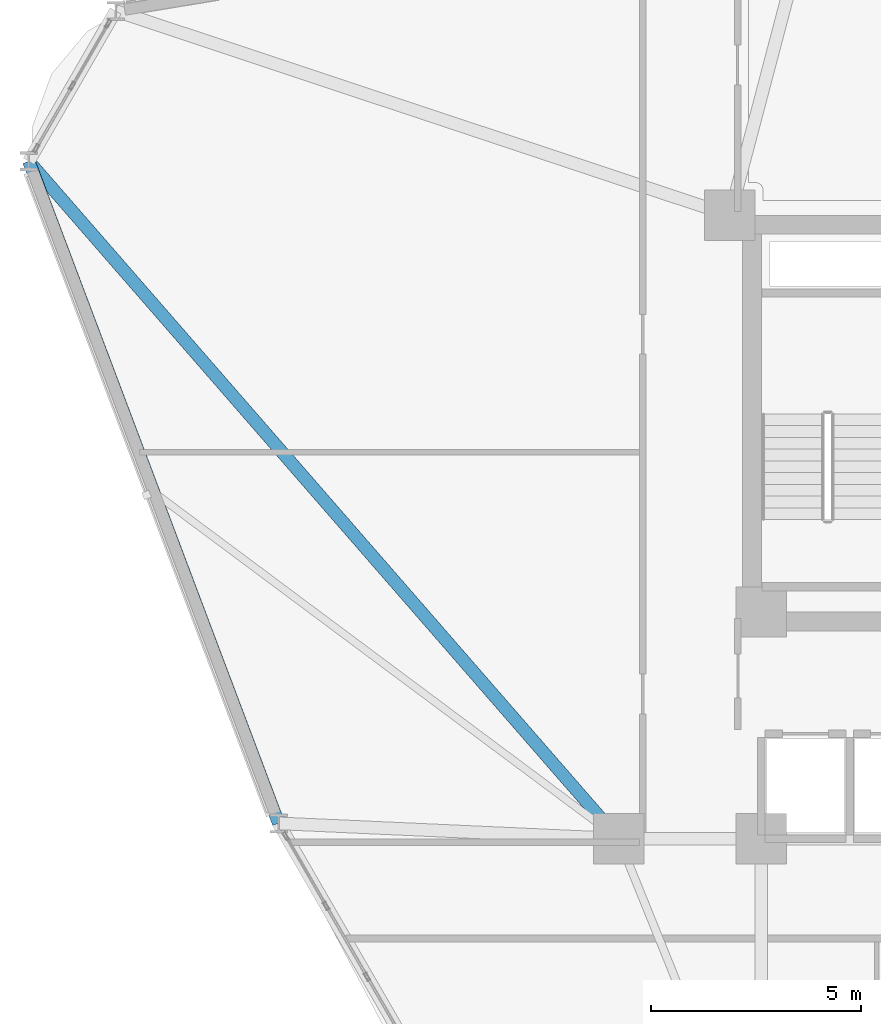
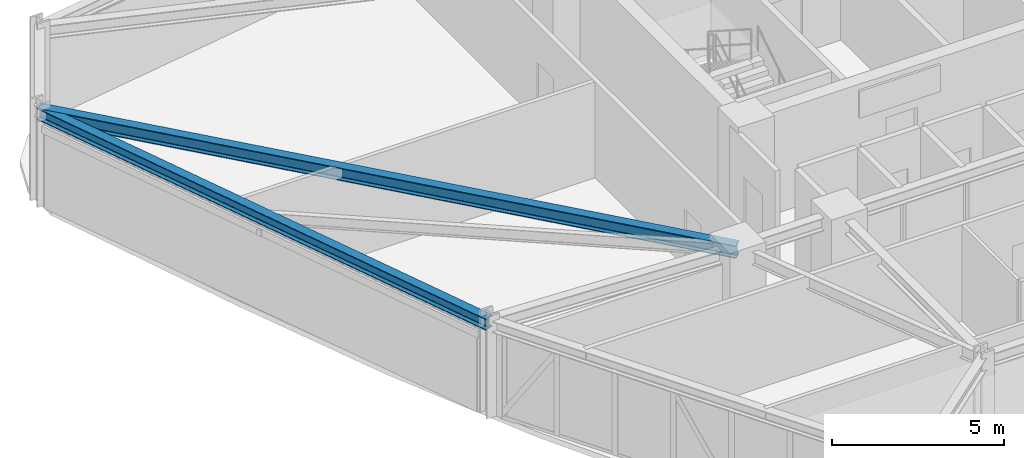
# One storey, part 8 of 23: 2 beams.
"""IFC4 building model written with IfcOpenShell, lengths in metres."""

import ifcopenshell
import ifcopenshell.guid

model = None  # the IFC model being written
_history = None  # IfcOwnerHistory: only IFC2X3 demands one
_inside = {}  # id of a spatial element -> (the spatial element, [elements in it])
_under = {}  # id of a project, library or spatial element -> (it, [spatial elements below it])
_declared = {}  # id of a project -> (the project, [libraries it declares])
_typed = {}  # id of a type object -> (the type object, [elements of that type])
_made_of = {}  # id of a material, layer set ... -> (it, [elements and type objects made of it])


def new_model(schema):
    """Start an empty IFC model of exactly this schema.

    Asked for "IFC4X3", IfcOpenShell would pick the latest addendum, in which some entities
    have other attributes; the version numbers below select the first issue.
    IFC2X3 requires an IfcOwnerHistory on every rooted entity: one is made here for all.
    """
    global model, _history
    if schema == "IFC4X3":
        model = ifcopenshell.file(schema_version=(4, 3, 0, 0))
    else:
        model = ifcopenshell.file(schema=schema)
    _inside.clear()
    _under.clear()
    _declared.clear()
    _typed.clear()
    _made_of.clear()
    _history = None
    if model.schema == "IFC2X3":
        org = make("IfcOrganization", Name="unknown")
        user = make(
            "IfcPersonAndOrganization",
            ThePerson=make("IfcPerson", FamilyName="unknown"),
            TheOrganization=org,
        )
        app = make(
            "IfcApplication",
            ApplicationDeveloper=org,
            Version="unknown",
            ApplicationFullName="unknown",
            ApplicationIdentifier="unknown",
        )
        _history = make(
            "IfcOwnerHistory",
            OwningUser=user,
            OwningApplication=app,
            ChangeAction="ADDED",
            CreationDate=0,
        )
    return model


def make(cls, **values):
    """One entity of the class cls with the attributes given. An attribute that is None is left unset."""
    return model.create_entity(
        cls, **{name: value for name, value in values.items() if value is not None}
    )


def rooted(cls, **values):
    """An entity with a GlobalId (a new one), such as an element, a storey or a relation."""
    return make(cls, GlobalId=ifcopenshell.guid.new(), OwnerHistory=_history, **values)


def si_unit(unit_type, name, prefix=None):
    """IfcSIUnit, for example si_unit("LENGTHUNIT", "METRE", prefix="MILLI")."""
    return make("IfcSIUnit", UnitType=unit_type, Prefix=prefix, Name=name)


def derived_unit(unit_type, elements):
    """IfcDerivedUnit: a product of units, each with its exponent."""
    return make(
        "IfcDerivedUnit",
        Elements=[
            make("IfcDerivedUnitElement", Unit=unit, Exponent=power)
            for unit, power in elements
        ],
        UnitType=unit_type,
    )


def assignment(units):
    """IfcUnitAssignment: the units of a project."""
    return None if units is None else make("IfcUnitAssignment", Units=units)


def point(xyz):
    """IfcCartesianPoint."""
    return None if xyz is None else make("IfcCartesianPoint", Coordinates=xyz)


def direction(xyz):
    """IfcDirection."""
    return None if xyz is None else make("IfcDirection", DirectionRatios=xyz)


def frame(location, z_axis=None, x_axis=None):
    """IfcAxis2Placement3D, a coordinate frame: its origin and axes. An axis left out is left unset."""
    return make(
        "IfcAxis2Placement3D",
        Location=point(location),
        Axis=direction(z_axis),
        RefDirection=direction(x_axis),
    )


def frame_2d(location, x_axis=None):
    """IfcAxis2Placement2D, a coordinate frame in the plane: its origin and x axis."""
    return make(
        "IfcAxis2Placement2D", Location=point(location), RefDirection=direction(x_axis)
    )


def origin():
    """The frame at (0, 0, 0) with its axes left unset."""
    return frame((0.0, 0.0, 0.0))


def origin_2d():
    """The frame at (0, 0) in the plane with its x axis left unset."""
    return frame_2d((0.0, 0.0))


def place(relative_to, where):
    """IfcLocalPlacement: puts the frame where relative to a parent placement (None: the world)."""
    return make(
        "IfcLocalPlacement", PlacementRelTo=relative_to, RelativePlacement=where
    )


def context(
    kind, dimensions, precision=None, world=None, true_north=None, identifier=None
):
    """IfcGeometricRepresentationContext, for example the 3D "Model" context."""
    return make(
        "IfcGeometricRepresentationContext",
        ContextIdentifier=identifier,
        ContextType=kind,
        CoordinateSpaceDimension=dimensions,
        Precision=precision,
        WorldCoordinateSystem=world,
        TrueNorth=true_north,
    )


def subcontext(parent, identifier, kind, view, scale=None):
    """IfcGeometricRepresentationSubContext, for example "Body" below "Model"."""
    return make(
        "IfcGeometricRepresentationSubContext",
        ContextIdentifier=identifier,
        ContextType=kind,
        ParentContext=parent,
        TargetScale=scale,
        TargetView=view,
    )


def project(units=None, contexts=None):
    """IfcProject with its units and contexts."""
    return rooted(
        "IfcProject",
        Name="project",
        RepresentationContexts=contexts,
        UnitsInContext=assignment(units),
    )


def spatial(cls, under=None, at=None, **own):
    """A site, building, storey or space (cls), placed at a placement, below another one or the project."""
    s = rooted(cls, ObjectPlacement=at, **own)
    if under is not None:
        _under.setdefault(under.id(), (under, []))[1].append(s)
    return s


def profile(cls, at=None, kind="AREA", **sizes):
    """A parametric profile (cls). Its sizes go by their IFC names, for example OverallWidth=200.0."""
    return make(cls, ProfileType=kind, Position=at, **sizes)


def i_section(**sizes):
    """IfcIShapeProfileDef."""
    return profile("IfcIShapeProfileDef", **sizes)


def extrude(swept, where, along, depth):
    """IfcExtrudedAreaSolid: the profile swept, set in the frame where, extruded along a direction by depth."""
    return make(
        "IfcExtrudedAreaSolid",
        SweptArea=swept,
        Position=where,
        ExtrudedDirection=direction(along),
        Depth=depth,
    )


def shape(context_of_items, identifier, shape_type, items):
    """IfcShapeRepresentation: the items that make up one representation, for example the "Body"."""
    return make(
        "IfcShapeRepresentation",
        ContextOfItems=context_of_items,
        RepresentationIdentifier=identifier,
        RepresentationType=shape_type,
        Items=items,
    )


def source(mapping_origin, context_of_items, identifier, shape_type, items):
    """IfcRepresentationMap: a shape defined once, which mapped items show again and again."""
    return make(
        "IfcRepresentationMap",
        MappingOrigin=mapping_origin,
        MappedRepresentation=shape(context_of_items, identifier, shape_type, items),
    )


def transform(
    local_origin,
    x_axis=None,
    y_axis=None,
    z_axis=None,
    scale=None,
    scale2=None,
    scale3=None,
    uniform=True,
):
    """IfcCartesianTransformationOperator3D, or its non-uniform kind. x_axis, y_axis, z_axis: its Axis1, 2, 3."""
    if uniform:
        return make(
            "IfcCartesianTransformationOperator3D",
            Axis1=direction(x_axis),
            Axis2=direction(y_axis),
            LocalOrigin=point(local_origin),
            Scale=scale,
            Axis3=direction(z_axis),
        )
    return make(
        "IfcCartesianTransformationOperator3DnonUniform",
        Axis1=direction(x_axis),
        Axis2=direction(y_axis),
        LocalOrigin=point(local_origin),
        Scale=scale,
        Axis3=direction(z_axis),
        Scale2=scale2,
        Scale3=scale3,
    )


def mapped(mapping_source, mapping_target):
    """IfcMappedItem: shows the shape of a source again, moved by a transform."""
    return make(
        "IfcMappedItem", MappingSource=mapping_source, MappingTarget=mapping_target
    )


def material(Name=None, Category=None):
    """IfcMaterial."""
    return make("IfcMaterial", Name=Name, Category=Category)


def material_profile(
    of_material, cross_section, Name=None, Category=None, Priority=None
):
    """IfcMaterialProfile: a cross section and its material."""
    return make(
        "IfcMaterialProfile",
        Name=Name,
        Material=of_material,
        Profile=cross_section,
        Priority=Priority,
        Category=Category,
    )


def profile_set(profiles, Name=None, composite=None):
    """IfcMaterialProfileSet."""
    return make(
        "IfcMaterialProfileSet",
        Name=Name,
        MaterialProfiles=profiles,
        CompositeProfile=composite,
    )


def made_of(thing, what):
    """Note that an element or type object is made of a material, layer set ...; save() writes the relation."""
    if what is not None:
        _made_of.setdefault(what.id(), (what, []))[1].append(thing)
    return thing


def type_object(cls, material=None, **own):
    """A type object (cls), such as IfcWallType, which elements share."""
    return made_of(rooted(cls, **own), material)


def element(
    cls,
    number,
    at=None,
    inside=None,
    cuts=None,
    type_object=None,
    material=None,
    context=None,
    identifier="Body",
    shape_type=None,
    held_by="IfcProductDefinitionShape",
    body=None,
    shapes=None,
    **own,
):
    """One element of the class cls, such as IfcWall. Its Tag is "e" and its number.

    at: its placement. inside: the storey or other place that contains it. cuts: it is an
    opening in that element (IfcRelVoidsElement). A single representation is given by context,
    identifier, shape_type and body (its items); several are given by shapes. held_by: the class
    of the entity that holds the representations. save() writes the other relations.
    """
    e = rooted(cls, Tag="e%d" % number, ObjectPlacement=at, **own)
    if body is not None:
        shapes = [shape(context, identifier, shape_type, body)]
    if shapes is not None:
        e.Representation = make(held_by, Representations=shapes)
    if inside is not None:
        _inside.setdefault(inside.id(), (inside, []))[1].append(e)
    if cuts is not None:
        rooted(
            "IfcRelVoidsElement", RelatingBuildingElement=cuts, RelatedOpeningElement=e
        )
    if type_object is not None:
        _typed.setdefault(type_object.id(), (type_object, []))[1].append(e)
    return made_of(e, material)


def aggregate(whole, parts):
    """IfcRelAggregates: a whole, such as a stair, and the parts it consists of."""
    return rooted("IfcRelAggregates", RelatingObject=whole, RelatedObjects=parts)


def save(model, path):
    """Write the relations noted so far, then the file.

    IfcRelAggregates (storeys below a building ...), IfcRelContainedInSpatialStructure (elements
    in a storey), IfcRelDefinesByType, IfcRelAssociatesMaterial and IfcRelDeclares: one each for
    every whole, place, type object, material and project.
    """
    for whole, parts in _under.values():
        aggregate(whole, parts)
    for where, things in _inside.values():
        rooted(
            "IfcRelContainedInSpatialStructure",
            RelatedElements=things,
            RelatingStructure=where,
        )
    for kind, things in _typed.values():
        rooted("IfcRelDefinesByType", RelatedObjects=things, RelatingType=kind)
    for what, things in _made_of.values():
        rooted("IfcRelAssociatesMaterial", RelatedObjects=things, RelatingMaterial=what)
    for by, libraries in _declared.values():
        rooted("IfcRelDeclares", RelatingContext=by, RelatedDefinitions=libraries)
    model.write(path)


model = new_model("IFC4")

# Units and contexts
model_context = context("Model", 3, precision=1e-05, world=origin(), true_north=direction((0.0, 1.0)))
body_context = subcontext(model_context, "Body", "Model", "MODEL_VIEW")
ifc_project = project(units=[si_unit("LENGTHUNIT", "METRE"), si_unit("AREAUNIT", "SQUARE_METRE"), si_unit("VOLUMEUNIT", "CUBIC_METRE"), si_unit("PLANEANGLEUNIT", "RADIAN"), si_unit("MASSUNIT", "GRAM", prefix="KILO"), derived_unit("THERMALTRANSMITTANCEUNIT", [(si_unit("POWERUNIT", "WATT"), 1), (si_unit("LENGTHUNIT", "METRE"), -2), (si_unit("THERMODYNAMICTEMPERATUREUNIT", "KELVIN"), -1)])], contexts=[model_context])

# Site, building, storey
site_placement = place(None, origin())
site = spatial("IfcSite", under=ifc_project, at=site_placement, CompositionType="ELEMENT")
building_placement = place(site_placement, origin())
building = spatial("IfcBuilding", under=site, at=building_placement, Name="Korsvarv Bourse and Concert Hall", CompositionType="ELEMENT")
storey_placement = place(building_placement, frame((0.0, 0.0, 99.0)))
storey = spatial("IfcBuildingStorey", under=building, at=storey_placement, Name="L24", CompositionType="ELEMENT", Elevation=99.0)

# Beams
ifc_material = material(Name="Steel S355", Category="steel")
ifc_material_profile_1 = material_profile(ifc_material, i_section(OverallWidth=0.300048828125, OverallDepth=0.39990234375, WebThickness=0.013427734375, FlangeThickness=0.02392578125, FilletRadius=0.02099609375, at=origin_2d()), Name="HEB 400")
ifc_profile_set_1 = profile_set([ifc_material_profile_1], Name="Steel S355")
beam_type_1 = type_object("IfcBeamType", Name="BM-HEB400", PredefinedType="SPANDREL", material=ifc_profile_set_1)
shared_shape_1 = source(origin(), body_context, "Body", "SweptSolid", [
    extrude(i_section(OverallWidth=0.300048828125, OverallDepth=0.39990234375, WebThickness=0.013427734375, FlangeThickness=0.02392578125, FilletRadius=0.02099609375, at=origin_2d()), origin(), (0.0, 0.0, 1.0), 16.856201171875),
])
beam_1_placement = place(storey_placement, frame((10.148681640625, 48.536865234375, 3.199951171875), z_axis=(0.353024240889, -0.935614175472, 0.0), x_axis=(0.935614175472, 0.353024240889, 0.0)))
element("IfcBeam", 1, at=beam_1_placement, inside=storey, type_object=beam_type_1, Name="L24 beam B-09", PredefinedType="SPANDREL", context=body_context, shape_type="MappedRepresentation", body=[
    mapped(shared_shape_1, transform((0.0, 0.0, 0.0), scale=1.0)),
])
ifc_material_profile_2 = material_profile(ifc_material, i_section(OverallWidth=0.300048828125, OverallDepth=0.449951171875, WebThickness=0.013916015625, FlangeThickness=0.02587890625, FilletRadius=0.02099609375, at=origin_2d()), Name="HEB 450")
ifc_profile_set_2 = profile_set([ifc_material_profile_2], Name="Steel S355")
beam_type_2 = type_object("IfcBeamType", Name="BM-HEB450", PredefinedType="SPANDREL", material=ifc_profile_set_2)
shared_shape_2 = source(origin(), body_context, "Body", "SweptSolid", [
    extrude(i_section(OverallWidth=0.300048828125, OverallDepth=0.449951171875, WebThickness=0.013916015625, FlangeThickness=0.02587890625, FilletRadius=0.02099609375, at=origin_2d()), origin(), (0.0, 0.0, 1.0), 21.397216796875),
])
beam_2_placement = place(storey_placement, frame((10.148681640625, 48.536865234375, 3.175048828125), z_axis=(0.656687603639, -0.754162708722, 0.0), x_axis=(0.754162708722, 0.656687603639, 0.0)))
element("IfcBeam", 2, at=beam_2_placement, inside=storey, type_object=beam_type_2, Name="L24 beam B-08", PredefinedType="SPANDREL", context=body_context, shape_type="MappedRepresentation", body=[
    mapped(shared_shape_2, transform((0.0, 0.0, 0.0), scale=1.0)),
])

save(model, "model.ifc")
